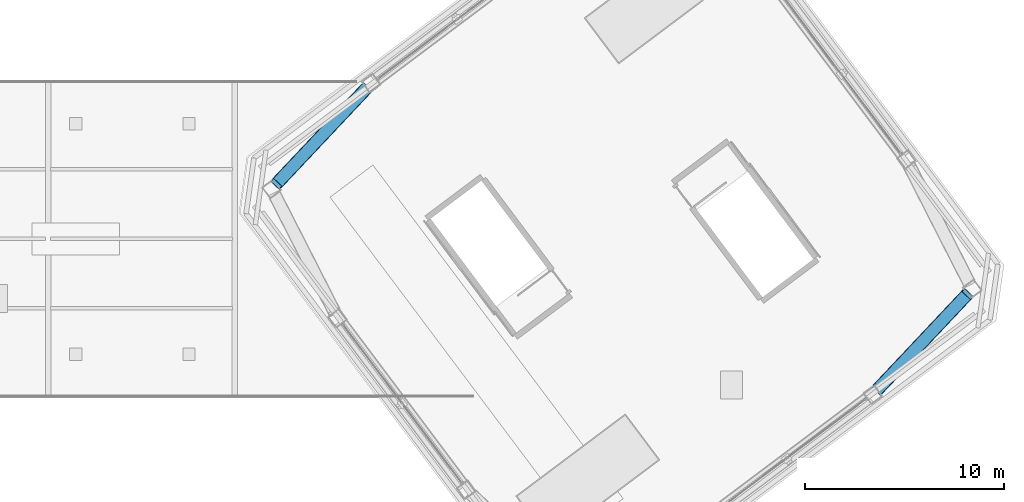
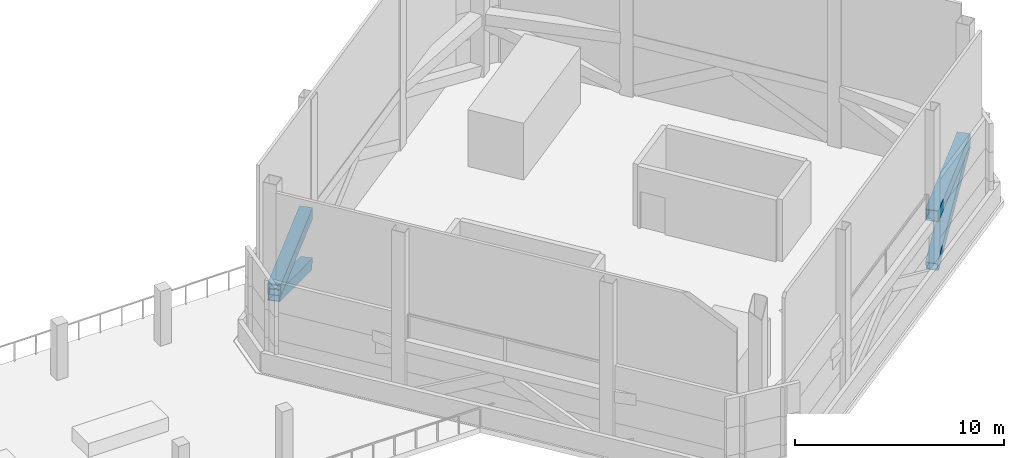
# One storey, part 20 of 37: 2 beams, 2 members.
"""IFC4 building model written with IfcOpenShell, lengths in metres."""

import ifcopenshell
import ifcopenshell.guid

model = None  # the IFC model being written
_history = None  # IfcOwnerHistory: only IFC2X3 demands one
_inside = {}  # id of a spatial element -> (the spatial element, [elements in it])
_under = {}  # id of a project, library or spatial element -> (it, [spatial elements below it])
_declared = {}  # id of a project -> (the project, [libraries it declares])
_typed = {}  # id of a type object -> (the type object, [elements of that type])
_made_of = {}  # id of a material, layer set ... -> (it, [elements and type objects made of it])


def new_model(schema):
    """Start an empty IFC model of exactly this schema.

    Asked for "IFC4X3", IfcOpenShell would pick the latest addendum, in which some entities
    have other attributes; the version numbers below select the first issue.
    IFC2X3 requires an IfcOwnerHistory on every rooted entity: one is made here for all.
    """
    global model, _history
    if schema == "IFC4X3":
        model = ifcopenshell.file(schema_version=(4, 3, 0, 0))
    else:
        model = ifcopenshell.file(schema=schema)
    _inside.clear()
    _under.clear()
    _declared.clear()
    _typed.clear()
    _made_of.clear()
    _history = None
    if model.schema == "IFC2X3":
        org = make("IfcOrganization", Name="unknown")
        user = make(
            "IfcPersonAndOrganization",
            ThePerson=make("IfcPerson", FamilyName="unknown"),
            TheOrganization=org,
        )
        app = make(
            "IfcApplication",
            ApplicationDeveloper=org,
            Version="unknown",
            ApplicationFullName="unknown",
            ApplicationIdentifier="unknown",
        )
        _history = make(
            "IfcOwnerHistory",
            OwningUser=user,
            OwningApplication=app,
            ChangeAction="ADDED",
            CreationDate=0,
        )
    return model


def make(cls, **values):
    """One entity of the class cls with the attributes given. An attribute that is None is left unset."""
    return model.create_entity(
        cls, **{name: value for name, value in values.items() if value is not None}
    )


def rooted(cls, **values):
    """An entity with a GlobalId (a new one), such as an element, a storey or a relation."""
    return make(cls, GlobalId=ifcopenshell.guid.new(), OwnerHistory=_history, **values)


def si_unit(unit_type, name, prefix=None):
    """IfcSIUnit, for example si_unit("LENGTHUNIT", "METRE", prefix="MILLI")."""
    return make("IfcSIUnit", UnitType=unit_type, Prefix=prefix, Name=name)


def assignment(units):
    """IfcUnitAssignment: the units of a project."""
    return None if units is None else make("IfcUnitAssignment", Units=units)


def point(xyz):
    """IfcCartesianPoint."""
    return None if xyz is None else make("IfcCartesianPoint", Coordinates=xyz)


def direction(xyz):
    """IfcDirection."""
    return None if xyz is None else make("IfcDirection", DirectionRatios=xyz)


def frame(location, z_axis=None, x_axis=None):
    """IfcAxis2Placement3D, a coordinate frame: its origin and axes. An axis left out is left unset."""
    return make(
        "IfcAxis2Placement3D",
        Location=point(location),
        Axis=direction(z_axis),
        RefDirection=direction(x_axis),
    )


def frame_2d(location, x_axis=None):
    """IfcAxis2Placement2D, a coordinate frame in the plane: its origin and x axis."""
    return make(
        "IfcAxis2Placement2D", Location=point(location), RefDirection=direction(x_axis)
    )


def origin():
    """The frame at (0, 0, 0) with its axes left unset."""
    return frame((0.0, 0.0, 0.0))


def origin_2d():
    """The frame at (0, 0) in the plane with its x axis left unset."""
    return frame_2d((0.0, 0.0))


def place(relative_to, where):
    """IfcLocalPlacement: puts the frame where relative to a parent placement (None: the world)."""
    return make(
        "IfcLocalPlacement", PlacementRelTo=relative_to, RelativePlacement=where
    )


def context(
    kind, dimensions, precision=None, world=None, true_north=None, identifier=None
):
    """IfcGeometricRepresentationContext, for example the 3D "Model" context."""
    return make(
        "IfcGeometricRepresentationContext",
        ContextIdentifier=identifier,
        ContextType=kind,
        CoordinateSpaceDimension=dimensions,
        Precision=precision,
        WorldCoordinateSystem=world,
        TrueNorth=true_north,
    )


def subcontext(parent, identifier, kind, view, scale=None):
    """IfcGeometricRepresentationSubContext, for example "Body" below "Model"."""
    return make(
        "IfcGeometricRepresentationSubContext",
        ContextIdentifier=identifier,
        ContextType=kind,
        ParentContext=parent,
        TargetScale=scale,
        TargetView=view,
    )


def project(units=None, contexts=None):
    """IfcProject with its units and contexts."""
    return rooted(
        "IfcProject",
        Name="project",
        RepresentationContexts=contexts,
        UnitsInContext=assignment(units),
    )


def spatial(cls, under=None, at=None, **own):
    """A site, building, storey or space (cls), placed at a placement, below another one or the project."""
    s = rooted(cls, ObjectPlacement=at, **own)
    if under is not None:
        _under.setdefault(under.id(), (under, []))[1].append(s)
    return s


def profile(cls, at=None, kind="AREA", **sizes):
    """A parametric profile (cls). Its sizes go by their IFC names, for example OverallWidth=200.0."""
    return make(cls, ProfileType=kind, Position=at, **sizes)


def hollow_rectangle(**sizes):
    """IfcRectangleHollowProfileDef."""
    return profile("IfcRectangleHollowProfileDef", **sizes)


def extrude(swept, where, along, depth):
    """IfcExtrudedAreaSolid: the profile swept, set in the frame where, extruded along a direction by depth."""
    return make(
        "IfcExtrudedAreaSolid",
        SweptArea=swept,
        Position=where,
        ExtrudedDirection=direction(along),
        Depth=depth,
    )


def shape(context_of_items, identifier, shape_type, items):
    """IfcShapeRepresentation: the items that make up one representation, for example the "Body"."""
    return make(
        "IfcShapeRepresentation",
        ContextOfItems=context_of_items,
        RepresentationIdentifier=identifier,
        RepresentationType=shape_type,
        Items=items,
    )


def material(Name=None, Category=None):
    """IfcMaterial."""
    return make("IfcMaterial", Name=Name, Category=Category)


def material_profile(
    of_material, cross_section, Name=None, Category=None, Priority=None
):
    """IfcMaterialProfile: a cross section and its material."""
    return make(
        "IfcMaterialProfile",
        Name=Name,
        Material=of_material,
        Profile=cross_section,
        Priority=Priority,
        Category=Category,
    )


def profile_set(profiles, Name=None, composite=None):
    """IfcMaterialProfileSet."""
    return make(
        "IfcMaterialProfileSet",
        Name=Name,
        MaterialProfiles=profiles,
        CompositeProfile=composite,
    )


def made_of(thing, what):
    """Note that an element or type object is made of a material, layer set ...; save() writes the relation."""
    if what is not None:
        _made_of.setdefault(what.id(), (what, []))[1].append(thing)
    return thing


def type_object(cls, material=None, **own):
    """A type object (cls), such as IfcWallType, which elements share."""
    return made_of(rooted(cls, **own), material)


def element(
    cls,
    number,
    at=None,
    inside=None,
    cuts=None,
    type_object=None,
    material=None,
    context=None,
    identifier="Body",
    shape_type=None,
    held_by="IfcProductDefinitionShape",
    body=None,
    shapes=None,
    **own,
):
    """One element of the class cls, such as IfcWall. Its Tag is "e" and its number.

    at: its placement. inside: the storey or other place that contains it. cuts: it is an
    opening in that element (IfcRelVoidsElement). A single representation is given by context,
    identifier, shape_type and body (its items); several are given by shapes. held_by: the class
    of the entity that holds the representations. save() writes the other relations.
    """
    e = rooted(cls, Tag="e%d" % number, ObjectPlacement=at, **own)
    if body is not None:
        shapes = [shape(context, identifier, shape_type, body)]
    if shapes is not None:
        e.Representation = make(held_by, Representations=shapes)
    if inside is not None:
        _inside.setdefault(inside.id(), (inside, []))[1].append(e)
    if cuts is not None:
        rooted(
            "IfcRelVoidsElement", RelatingBuildingElement=cuts, RelatedOpeningElement=e
        )
    if type_object is not None:
        _typed.setdefault(type_object.id(), (type_object, []))[1].append(e)
    return made_of(e, material)


def aggregate(whole, parts):
    """IfcRelAggregates: a whole, such as a stair, and the parts it consists of."""
    return rooted("IfcRelAggregates", RelatingObject=whole, RelatedObjects=parts)


def save(model, path):
    """Write the relations noted so far, then the file.

    IfcRelAggregates (storeys below a building ...), IfcRelContainedInSpatialStructure (elements
    in a storey), IfcRelDefinesByType, IfcRelAssociatesMaterial and IfcRelDeclares: one each for
    every whole, place, type object, material and project.
    """
    for whole, parts in _under.values():
        aggregate(whole, parts)
    for where, things in _inside.values():
        rooted(
            "IfcRelContainedInSpatialStructure",
            RelatedElements=things,
            RelatingStructure=where,
        )
    for kind, things in _typed.values():
        rooted("IfcRelDefinesByType", RelatedObjects=things, RelatingType=kind)
    for what, things in _made_of.values():
        rooted("IfcRelAssociatesMaterial", RelatedObjects=things, RelatingMaterial=what)
    for by, libraries in _declared.values():
        rooted("IfcRelDeclares", RelatingContext=by, RelatedDefinitions=libraries)
    model.write(path)


model = new_model("IFC4")

# Units and contexts
model_context = context("Model", 3, precision=1e-05, world=origin(), true_north=direction((0.0, 1.0)))
body_context = subcontext(model_context, "Body", "Model", "MODEL_VIEW")
ifc_project = project(units=[si_unit("LENGTHUNIT", "METRE"), si_unit("AREAUNIT", "SQUARE_METRE"), si_unit("VOLUMEUNIT", "CUBIC_METRE"), si_unit("PLANEANGLEUNIT", "RADIAN"), si_unit("MASSUNIT", "GRAM", prefix="KILO")], contexts=[model_context])

# Site, building, storey
site_placement = place(None, origin())
site = spatial("IfcSite", under=ifc_project, at=site_placement, CompositionType="ELEMENT")
building_placement = place(site_placement, origin())
building = spatial("IfcBuilding", under=site, at=building_placement, Name="Tashvorn Skyway Center", CompositionType="ELEMENT")
storey_placement = place(building_placement, frame((0.0, 0.0, 263.39990234375)))
storey = spatial("IfcBuildingStorey", under=building, at=storey_placement, Name="L71", CompositionType="ELEMENT", Elevation=263.39990234375)

# Beams
ifc_material = material(Name="Steel ASTM A572 Grade 50", Category="steel")
ifc_material_profile_1 = material_profile(ifc_material, hollow_rectangle(XDim=0.64990234375, YDim=0.64990234375, WallThickness=0.02490234375, at=origin_2d()), Name="BOX650x650x25")
ifc_profile_set_1 = profile_set([ifc_material_profile_1], Name="Steel ASTM A572 Grade 50")
beam_type = type_object("IfcBeamType", Name="BM-BEAM-BOX650x650x25", PredefinedType="BEAM", material=ifc_profile_set_1)
for number, where, z_axis, x_axis, name in (
    (1, (126.866455078125, 24.4111328125, 3.316650390625), (0.685594814649, 0.727983344677, 0.0), (-0.727983344677, 0.685594814649, 0.0), "CROWN FRAME Tower 2 Lower-Tier Ring Beam 03"),
    (2, (101.133544921875, 39.5888671875, 3.316650390625), (-0.685594814649, -0.727983344677, 0.0), (0.727983344677, -0.685594814649, 0.0), "CROWN FRAME Tower 2 Lower-Tier Ring Beam 09"),
):
    element("IfcBeam", number, at=place(storey_placement, frame(where, z_axis=z_axis, x_axis=x_axis)), inside=storey, type_object=beam_type, Name=name, PredefinedType="BEAM", context=body_context, shape_type="SweptSolid", body=[
        extrude(hollow_rectangle(XDim=0.64990234375, YDim=0.64990234375, WallThickness=0.02490234375, at=origin_2d()), origin(), (0.0, 0.0, 1.0), 6.61767578125),
    ])

# Members
ifc_material_profile_2 = material_profile(ifc_material, hollow_rectangle(XDim=0.60009765625, YDim=0.60009765625, WallThickness=0.02490234375, at=origin_2d()), Name="BOX600x600x25")
ifc_profile_set_2 = profile_set([ifc_material_profile_2], Name="Steel ASTM A572 Grade 50")
member_type = type_object("IfcMemberType", Name="MEM-CF-BRC-600", PredefinedType="BRACE", material=ifc_profile_set_2)
for number, where, z_axis, x_axis, name in (
    (3, (126.866455078125, 24.4111328125, 0.35009765625), (0.636571402471, 0.675928943444, 0.37134473602), (-0.727983344677, 0.685594814649, 0.0), "CROWN FRAME Tower 2 Lower Portal Brace 03"),
    (4, (101.133544921875, 39.5888671875, 0.35009765625), (-0.636571402471, -0.675928943444, 0.37134473602), (0.727983344677, -0.685594814649, 0.0), "CROWN FRAME Tower 2 Lower Portal Brace 09"),
):
    element("IfcMember", number, at=place(storey_placement, frame(where, z_axis=z_axis, x_axis=x_axis)), inside=storey, type_object=member_type, Name=name, PredefinedType="BRACE", context=body_context, shape_type="SweptSolid", body=[
        extrude(hollow_rectangle(XDim=0.60009765625, YDim=0.60009765625, WallThickness=0.02490234375, at=origin_2d()), origin(), (0.0, 0.0, 1.0), 7.12744140625),
    ])

save(model, "model.ifc")
